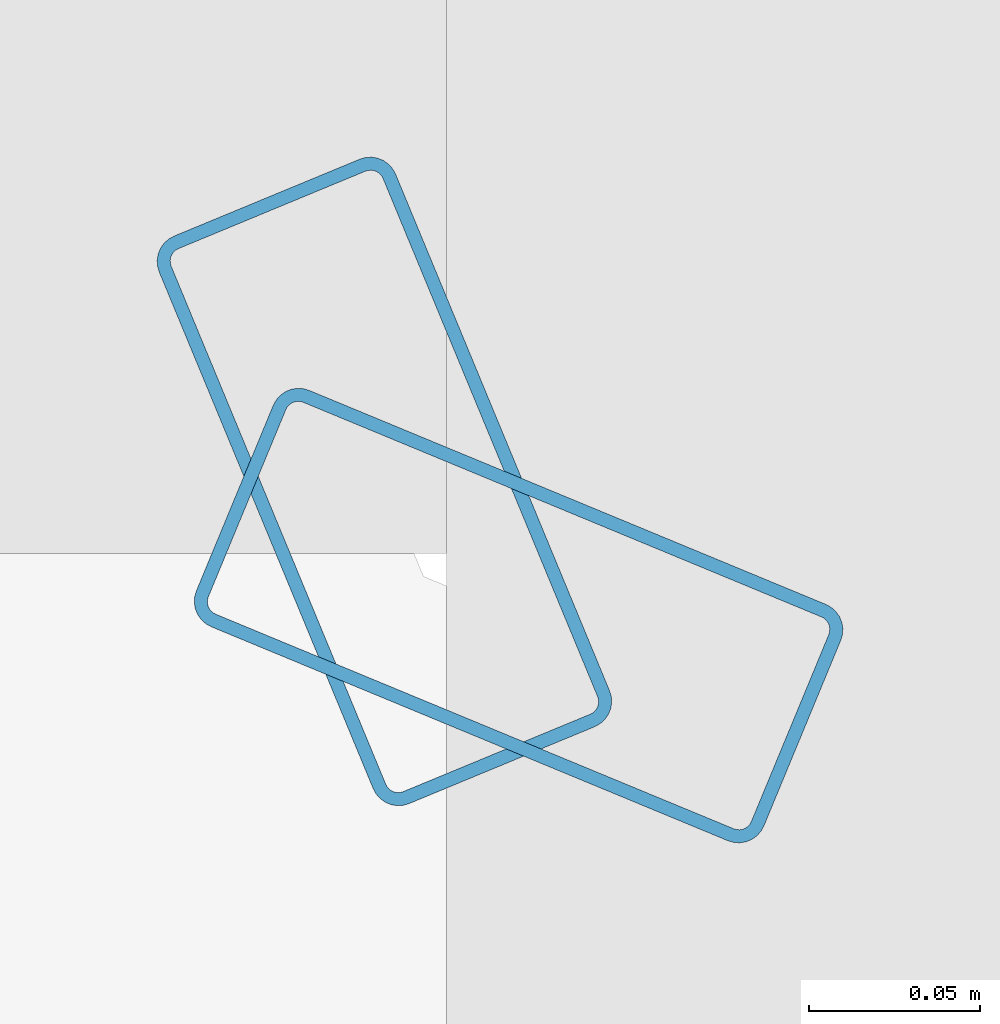
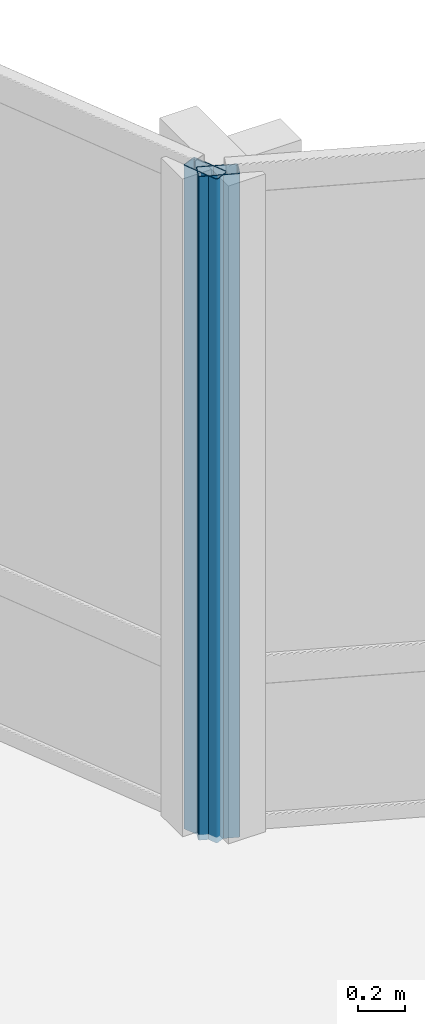
# One storey, part 8 of 34: 2 members, 2 elements without a shape of their own.
"""IFC4 building model written with IfcOpenShell, lengths in metres."""

from ifc_helpers import new_model, si_unit, direction, frame, origin, origin_2d, place, context, subcontext, project, spatial, hollow_rectangle, extrude, material, layer, layer_set, material_profile, profile_set, type_object, element, aggregate, save


model = new_model("IFC4")

# Units and contexts
model_context = context("Model", 3, precision=1e-05, world=origin(), true_north=direction((0.0, 1.0)))
body_context = subcontext(model_context, "Body", "Model", "MODEL_VIEW")
ifc_project = project(units=[si_unit("LENGTHUNIT", "METRE"), si_unit("AREAUNIT", "SQUARE_METRE"), si_unit("VOLUMEUNIT", "CUBIC_METRE"), si_unit("PLANEANGLEUNIT", "RADIAN"), si_unit("MASSUNIT", "GRAM", prefix="KILO")], contexts=[model_context])

# Site, building, storey
site_placement = place(None, origin())
site = spatial("IfcSite", under=ifc_project, at=site_placement, CompositionType="ELEMENT")
building_placement = place(site_placement, origin())
building = spatial("IfcBuilding", under=site, at=building_placement, Name="Solvaryn Broadcast Tower", CompositionType="ELEMENT")
storey_placement = place(building_placement, frame((0.0, 0.0, 73.0)))
storey = spatial("IfcBuildingStorey", under=building, at=storey_placement, Name="L17", CompositionType="ELEMENT", Elevation=73.0)

# Curtain wall, member
ifc_material_1 = material(Name="Aluminium and Terracotta Unitised Curtain Wall", Category="masonry")
ifc_layer = layer(ifc_material_1, 0.199951171875)
ifc_layer_set = layer_set([ifc_layer], Name="CW-SYS2-LOWMID")
curtain_wall_type = type_object("IfcCurtainWallType", Name="CW-SYS2-LOWMID", PredefinedType="NOTDEFINED", material=ifc_layer_set)
curtain_wall_1_placement = place(storey_placement, origin())
curtain_wall_1 = element("IfcCurtainWall", 1, at=curtain_wall_1_placement, inside=storey, type_object=curtain_wall_type, Name="L17 Curtain Wall CN1", PredefinedType="NOTDEFINED")
ifc_material_2 = material(Name="Anodised Aluminium 6063-T6", Category="aluminium")
ifc_material_profile = material_profile(ifc_material_2, hollow_rectangle(XDim=0.074951171875, YDim=0.179931640625, WallThickness=0.00390625, InnerFilletRadius=0.00390625, OuterFilletRadius=0.008056640625, at=origin_2d()))
ifc_profile_set = profile_set([ifc_material_profile], Name="Anodised Aluminium 6063-T6")
member_type = type_object("IfcMemberType", Name="CW-MUL-180", PredefinedType="MULLION", material=ifc_profile_set)
member_1_placement = place(storey_placement, frame((30.395751953125, 30.3564453125, 0.0), z_axis=(0.0, 0.0, 1.0), x_axis=(-0.382646127145, -0.923894983957, 0.0)))
member_1 = element("IfcMember", 2, at=member_1_placement, type_object=member_type, Name="CWS2 mullion 2", PredefinedType="MULLION", context=body_context, shape_type="SweptSolid", body=[
    extrude(hollow_rectangle(XDim=0.074951171875, YDim=0.179931640625, WallThickness=0.00390625, InnerFilletRadius=0.00390625, OuterFilletRadius=0.008056640625, at=origin_2d()), origin(), (0.0, 0.0, 1.0), 3.419921875),
])
aggregate(curtain_wall_1, [member_1])

curtain_wall_2_placement = place(storey_placement, origin())
curtain_wall_2 = element("IfcCurtainWall", 3, at=curtain_wall_2_placement, inside=storey, type_object=curtain_wall_type, Name="L17 Curtain Wall CN2", PredefinedType="NOTDEFINED")
member_2_placement = place(storey_placement, frame((30.3564453125, 30.395751953125, 0.0), z_axis=(0.0, 0.0, 1.0), x_axis=(-0.923894983957, -0.382646127145, 0.0)))
member_2 = element("IfcMember", 4, at=member_2_placement, type_object=member_type, Name="CWS2 mullion 1", PredefinedType="MULLION", context=body_context, shape_type="SweptSolid", body=[
    extrude(hollow_rectangle(XDim=0.074951171875, YDim=0.179931640625, WallThickness=0.00390625, InnerFilletRadius=0.00390625, OuterFilletRadius=0.008056640625, at=origin_2d()), origin(), (0.0, 0.0, 1.0), 3.419921875),
])
aggregate(curtain_wall_2, [member_2])

save(model, "model.ifc")
